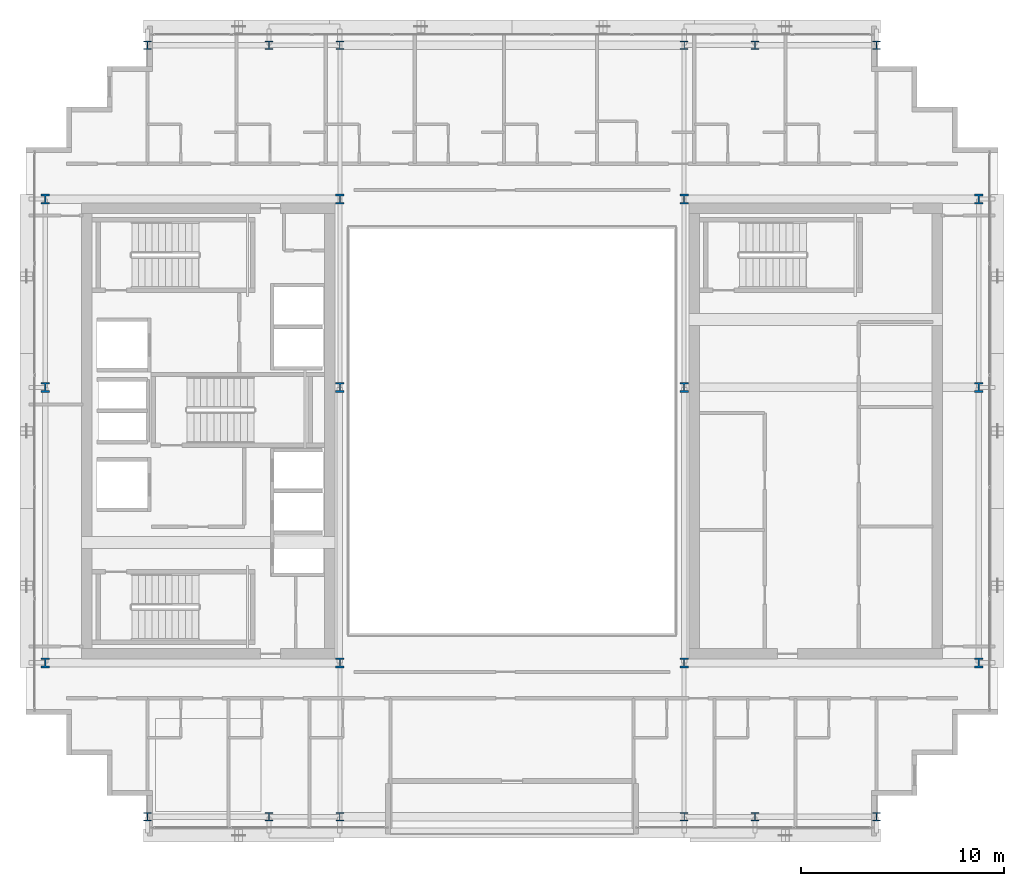
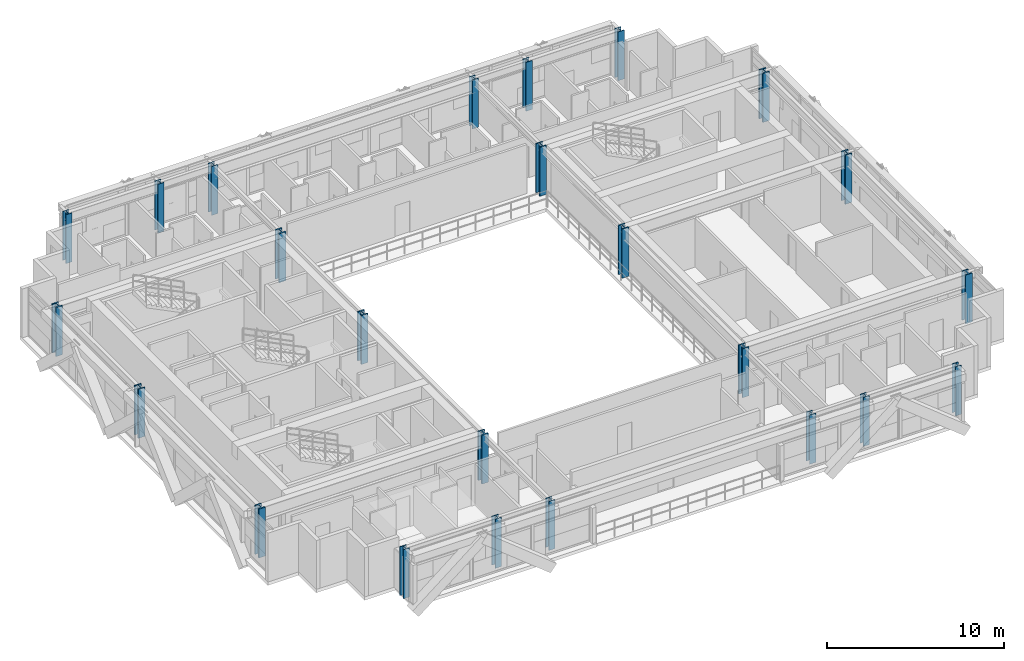
# One storey, part 1 of 32: 24 columns.
"""IFC4 building model written with IfcOpenShell, lengths in metres."""

from ifc_helpers import new_model, si_unit, direction, frame, origin, origin_2d, place, context, subcontext, project, spatial, i_section, extrude, source, transform, mapped, material, material_profile, profile_set, type_object, element, save


model = new_model("IFC4")

# Units and contexts
model_context = context("Model", 3, precision=1e-05, world=origin(), true_north=direction((0.0, 1.0)))
body_context = subcontext(model_context, "Body", "Model", "MODEL_VIEW")
ifc_project = project(units=[si_unit("LENGTHUNIT", "METRE"), si_unit("AREAUNIT", "SQUARE_METRE"), si_unit("VOLUMEUNIT", "CUBIC_METRE"), si_unit("PLANEANGLEUNIT", "RADIAN"), si_unit("MASSUNIT", "GRAM", prefix="KILO")], contexts=[model_context])

# Site, building, storey
site_placement = place(None, origin())
site = spatial("IfcSite", under=ifc_project, at=site_placement, CompositionType="ELEMENT")
building_placement = place(site_placement, origin())
building = spatial("IfcBuilding", under=site, at=building_placement, Name="Ocotamira Hotel", CompositionType="ELEMENT")
storey_placement = place(building_placement, frame((0.0, 0.0, 166.800048828125)))
storey = spatial("IfcBuildingStorey", under=building, at=storey_placement, Name="L41", CompositionType="ELEMENT", Elevation=166.800048828125)

# Columns
ifc_material = material(Name="Steel ASTM A913 Grade 65", Category="steel")
ifc_material_profile_1 = material_profile(ifc_material, i_section(OverallWidth=0.431884765625, OverallDepth=0.498046875, WebThickness=0.0556640625, FlangeThickness=0.0888671875, FilletRadius=0.02490234375, at=origin_2d()), Name="W14X500")
ifc_profile_set_1 = profile_set([ifc_material_profile_1], Name="Steel ASTM A913 Grade 65")
column_type_1 = type_object("IfcColumnType", Name="COL-W14X500", PredefinedType="COLUMN", material=ifc_profile_set_1)
shared_shape_1 = source(origin(), body_context, "Body", "SweptSolid", [
    extrude(i_section(OverallWidth=0.431884765625, OverallDepth=0.498046875, WebThickness=0.0556640625, FlangeThickness=0.0888671875, FilletRadius=0.02490234375, at=origin_2d()), origin(), (0.0, 0.0, 1.0), 3.369873046875),
])
for number, where, z_axis, x_axis, name in (
    (1, (8.949951171875, 14.550048828125, 0.0), (0.0, 0.0, 1.0), (1.0, 0.0, 0.0), "L41 Column TW8_14"),
    (2, (23.5, 14.550048828125, 0.0), (0.0, 0.0, 1.0), (1.0, 0.0, 0.0), "L41 Column TW23_14"),
    (3, (40.5, 14.550048828125, 0.0), (0.0, 0.0, 1.0), (1.0, 0.0, 0.0), "L41 Column TE40_14"),
    (4, (55.050048828125, 14.550048828125, 0.0), (0.0, 0.0, 1.0), (1.0, 0.0, 0.0), "L41 Column TE55_14"),
    (5, (8.949951171875, 28.14990234375, 0.0), (0.0, 0.0, 1.0), (1.0, 0.0, 0.0), "L41 Column TW8_28"),
    (6, (23.5, 28.14990234375, 0.0), (0.0, 0.0, 1.0), (1.0, 0.0, 0.0), "L41 Column TW23_28"),
    (7, (40.5, 28.14990234375, 0.0), (0.0, 0.0, 1.0), (1.0, 0.0, 0.0), "L41 Column TE40_28"),
    (8, (55.050048828125, 28.14990234375, 0.0), (0.0, 0.0, 1.0), (1.0, 0.0, 0.0), "L41 Column TE55_28"),
    (9, (8.949951171875, 37.449951171875, 0.0), (0.0, 0.0, 1.0), (1.0, 0.0, 0.0), "L41 Column TW8_37"),
    (10, (23.5, 37.449951171875, 0.0), (0.0, 0.0, 1.0), (1.0, 0.0, 0.0), "L41 Column TW23_37"),
    (11, (40.5, 37.449951171875, 0.0), (0.0, 0.0, 1.0), (1.0, 0.0, 0.0), "L41 Column TE40_37"),
    (12, (55.050048828125, 37.449951171875, 0.0), (0.0, 0.0, 1.0), (1.0, 0.0, 0.0), "L41 Column TE55_37"),
):
    element("IfcColumn", number, at=place(storey_placement, frame(where, z_axis=z_axis, x_axis=x_axis)), inside=storey, type_object=column_type_1, Name=name, PredefinedType="COLUMN", context=body_context, shape_type="MappedRepresentation", body=[
        mapped(shared_shape_1, transform((0.0, 0.0, 0.0), scale=1.0)),
    ])
ifc_material_profile_2 = material_profile(ifc_material, i_section(OverallWidth=0.404052734375, OverallDepth=0.406982421875, WebThickness=0.027099609375, FlangeThickness=0.043701171875, FilletRadius=0.02490234375, at=origin_2d()), Name="W14X233")
ifc_profile_set_2 = profile_set([ifc_material_profile_2], Name="Steel ASTM A913 Grade 65")
column_type_2 = type_object("IfcColumnType", Name="COL-W14X233", PredefinedType="COLUMN", material=ifc_profile_set_2)
shared_shape_2 = source(origin(), body_context, "Body", "SweptSolid", [
    extrude(i_section(OverallWidth=0.404052734375, OverallDepth=0.406982421875, WebThickness=0.027099609375, FlangeThickness=0.043701171875, FilletRadius=0.02490234375, at=origin_2d()), origin(), (0.0, 0.0, 1.0), 3.369873046875),
])
for number, where, z_axis, x_axis, name in (
    (13, (14.0, 6.949951171875, 0.0), (0.0, 0.0, 1.0), (1.0, 0.0, 0.0), "L41 Column NSP1_14"),
    (14, (20.0, 6.949951171875, 0.0), (0.0, 0.0, 1.0), (1.0, 0.0, 0.0), "L41 Column NSP1_20"),
    (15, (23.5, 6.949951171875, 0.0), (0.0, 0.0, 1.0), (1.0, 0.0, 0.0), "L41 Column NSP1_23"),
    (16, (40.5, 6.949951171875, 0.0), (0.0, 0.0, 1.0), (1.0, 0.0, 0.0), "L41 Column NSP1_40"),
    (17, (44.0, 6.949951171875, 0.0), (0.0, 0.0, 1.0), (1.0, 0.0, 0.0), "L41 Column NSP1_44"),
    (18, (50.0, 6.949951171875, 0.0), (0.0, 0.0, 1.0), (1.0, 0.0, 0.0), "L41 Column NSP1_50"),
    (19, (14.0, 45.050048828125, 0.0), (0.0, 0.0, 1.0), (1.0, 0.0, 0.0), "L41 Column NSP2_14"),
    (20, (20.0, 45.050048828125, 0.0), (0.0, 0.0, 1.0), (1.0, 0.0, 0.0), "L41 Column NSP2_20"),
    (21, (23.5, 45.050048828125, 0.0), (0.0, 0.0, 1.0), (1.0, 0.0, 0.0), "L41 Column NSP2_23"),
    (22, (40.5, 45.050048828125, 0.0), (0.0, 0.0, 1.0), (1.0, 0.0, 0.0), "L41 Column NSP2_40"),
    (23, (44.0, 45.050048828125, 0.0), (0.0, 0.0, 1.0), (1.0, 0.0, 0.0), "L41 Column NSP2_44"),
    (24, (50.0, 45.050048828125, 0.0), (0.0, 0.0, 1.0), (1.0, 0.0, 0.0), "L41 Column NSP2_50"),
):
    element("IfcColumn", number, at=place(storey_placement, frame(where, z_axis=z_axis, x_axis=x_axis)), inside=storey, type_object=column_type_2, Name=name, PredefinedType="COLUMN", context=body_context, shape_type="MappedRepresentation", body=[
        mapped(shared_shape_2, transform((0.0, 0.0, 0.0), scale=1.0)),
    ])

save(model, "model.ifc")
